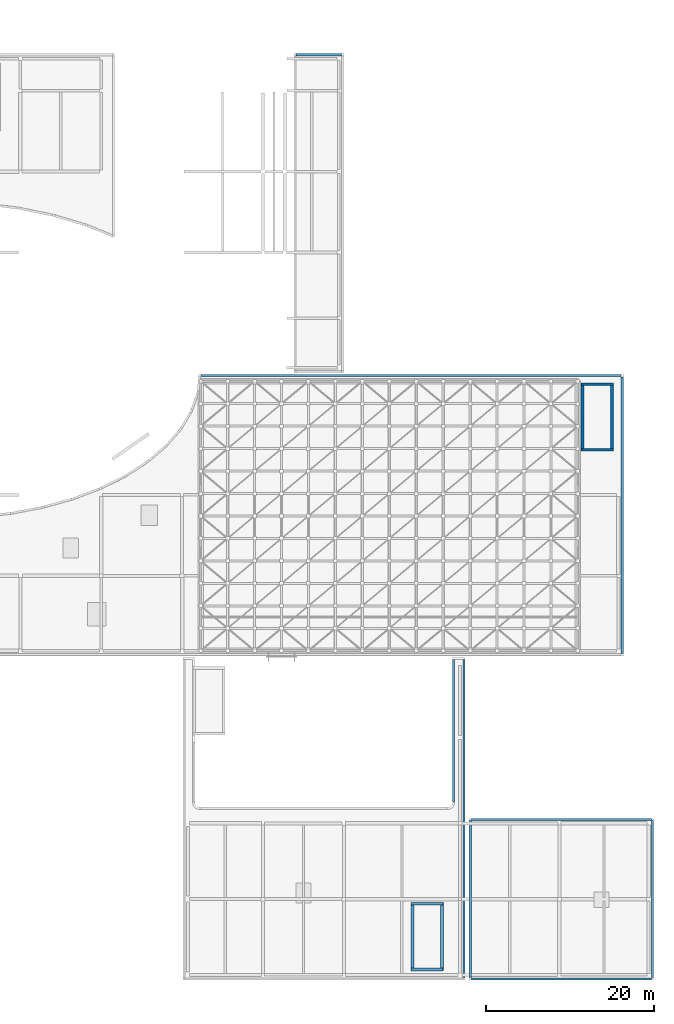
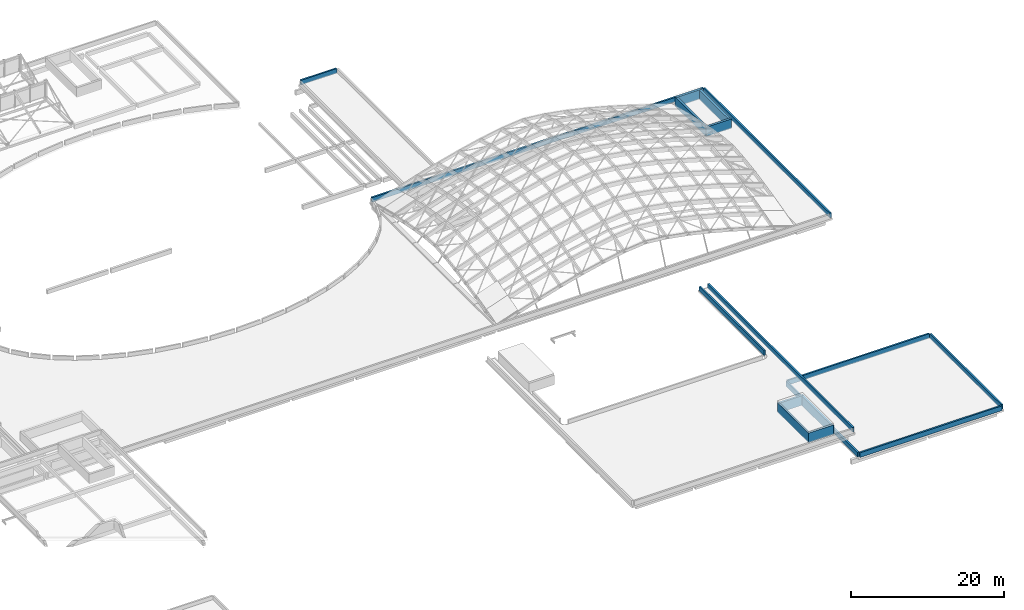
# One storey, part 39 of 40: 17 walls.
"""IFC4 building model written with IfcOpenShell, lengths in metres."""

from ifc_helpers import new_model, si_unit, direction, frame, frame_2d, origin, place, context, subcontext, project, spatial, rectangle, extrude, material, layer, layer_set, type_object, element, save


model = new_model("IFC4")

# Units and contexts
model_context = context("Model", 3, precision=1e-05, world=origin(), true_north=direction((0.0, 1.0)))
body_context = subcontext(model_context, "Body", "Model", "MODEL_VIEW")
ifc_project = project(units=[si_unit("LENGTHUNIT", "METRE"), si_unit("AREAUNIT", "SQUARE_METRE"), si_unit("VOLUMEUNIT", "CUBIC_METRE"), si_unit("PLANEANGLEUNIT", "RADIAN"), si_unit("MASSUNIT", "GRAM", prefix="KILO")], contexts=[model_context])

# Site, building, storey
site_placement = place(None, origin())
site = spatial("IfcSite", under=ifc_project, at=site_placement, CompositionType="ELEMENT")
building_placement = place(site_placement, origin())
building = spatial("IfcBuilding", under=site, at=building_placement, Name="Mzevani Central Library", CompositionType="ELEMENT")
storey_placement = place(building_placement, frame((0.0, 0.0, 26.699951171875)))
storey = spatial("IfcBuildingStorey", under=building, at=storey_placement, Name="RF", CompositionType="ELEMENT", Elevation=26.699951171875)

# Walls
ifc_material = material(Name="Precast concrete C40/50", Category="concrete")
ifc_layer_1 = layer(ifc_material, 0.320068359375, Name="Lift Overrun Shear Wall 320")
ifc_layer_set_1 = layer_set([ifc_layer_1], Name="Precast concrete C40/50")
wall_type_1 = type_object("IfcWallType", Name="Lift Overrun Shear Wall 320", PredefinedType="SHEAR", material=ifc_layer_set_1)
wall_1_placement = place(storey_placement, frame((163.199951171875, 66.949951171875, -12.89990234375), z_axis=(0.0, 0.0, 1.0), x_axis=(-1.0, 0.0, 0.0)))
element("IfcWall", 1, at=wall_1_placement, inside=storey, type_object=wall_type_1, Name="RF Core C1B Reading Hall East Overrun Headhouse Wall 1", PredefinedType="SHEAR", context=body_context, shape_type="SweptSolid", body=[
    extrude(rectangle(XDim=3.800048828125, YDim=0.320068359375, at=frame_2d((1.89990234375, 0.0))), origin(), (0.0, 0.0, 1.0), 1.5),
])
wall_2_placement = place(storey_placement, frame((159.550048828125, 66.800048828125, -12.89990234375), z_axis=(0.0, 0.0, 1.0), x_axis=(0.0, 1.0, 0.0)))
element("IfcWall", 2, at=wall_2_placement, inside=storey, type_object=wall_type_1, Name="RF Core C1B Reading Hall East Overrun Headhouse Wall 2", PredefinedType="SHEAR", context=body_context, shape_type="SweptSolid", body=[
    extrude(rectangle(XDim=8.099853515625, YDim=0.320068359375, at=frame_2d((4.0498046875, 0.0))), origin(), (0.0, 0.0, 1.0), 1.5),
])
wall_3_placement = place(storey_placement, frame((159.39990234375, 74.75, -12.89990234375), z_axis=(0.0, 0.0, 1.0), x_axis=(1.0, 0.0, 0.0)))
element("IfcWall", 3, at=wall_3_placement, inside=storey, type_object=wall_type_1, Name="RF Core C1B Reading Hall East Overrun Headhouse Wall 3", PredefinedType="SHEAR", context=body_context, shape_type="SweptSolid", body=[
    extrude(rectangle(XDim=3.800048828125, YDim=0.320068359375, at=frame_2d((1.89990234375, 0.0))), origin(), (0.0, 0.0, 1.0), 1.5),
])
wall_4_placement = place(storey_placement, frame((163.050048828125, 74.89990234375, -12.89990234375), z_axis=(0.0, 0.0, 1.0), x_axis=(0.0, -1.0, 0.0)))
element("IfcWall", 4, at=wall_4_placement, inside=storey, type_object=wall_type_1, Name="RF Core C1B Reading Hall East Overrun Headhouse Wall 4", PredefinedType="SHEAR", context=body_context, shape_type="SweptSolid", body=[
    extrude(rectangle(XDim=8.099853515625, YDim=0.320068359375, at=frame_2d((4.0498046875, 0.0))), origin(), (0.0, 0.0, 1.0), 1.5),
])
wall_5_placement = place(storey_placement, frame((143.0, 5.25, -17.099853515625), z_axis=(0.0, 0.0, 1.0), x_axis=(-1.0, 0.0, 0.0)))
element("IfcWall", 5, at=wall_5_placement, inside=storey, type_object=wall_type_1, Name="RF Core C6B Children's Pavilion East Stair Overrun Headhouse Wall 1", PredefinedType="SHEAR", context=body_context, shape_type="SweptSolid", body=[
    extrude(rectangle(XDim=3.800048828125, YDim=0.320068359375, at=frame_2d((1.89990234375, 0.0))), origin(), (0.0, 0.0, 1.0), 1.5),
])
wall_6_placement = place(storey_placement, frame((139.35009765625, 5.10009765625, -17.099853515625), z_axis=(0.0, 0.0, 1.0), x_axis=(0.0, 1.0, 0.0)))
element("IfcWall", 6, at=wall_6_placement, inside=storey, type_object=wall_type_1, Name="RF Core C6B Children's Pavilion East Stair Overrun Headhouse Wall 2", PredefinedType="SHEAR", context=body_context, shape_type="SweptSolid", body=[
    extrude(rectangle(XDim=8.099853515625, YDim=0.320068359375, at=frame_2d((4.0498046875, 0.0))), origin(), (0.0, 0.0, 1.0), 1.5),
])
wall_7_placement = place(storey_placement, frame((139.199951171875, 13.050048828125, -17.099853515625), z_axis=(0.0, 0.0, 1.0), x_axis=(1.0, 0.0, 0.0)))
element("IfcWall", 7, at=wall_7_placement, inside=storey, type_object=wall_type_1, Name="RF Core C6B Children's Pavilion East Stair Overrun Headhouse Wall 3", PredefinedType="SHEAR", context=body_context, shape_type="SweptSolid", body=[
    extrude(rectangle(XDim=3.800048828125, YDim=0.320068359375, at=frame_2d((1.89990234375, 0.0))), origin(), (0.0, 0.0, 1.0), 1.5),
])
wall_8_placement = place(storey_placement, frame((142.85009765625, 13.199951171875, -17.099853515625), z_axis=(0.0, 0.0, 1.0), x_axis=(0.0, -1.0, 0.0)))
element("IfcWall", 8, at=wall_8_placement, inside=storey, type_object=wall_type_1, Name="RF Core C6B Children's Pavilion East Stair Overrun Headhouse Wall 4", PredefinedType="SHEAR", context=body_context, shape_type="SweptSolid", body=[
    extrude(rectangle(XDim=8.099853515625, YDim=0.320068359375, at=frame_2d((4.0498046875, 0.0))), origin(), (0.0, 0.0, 1.0), 1.5),
])
ifc_layer_2 = layer(ifc_material, 0.25, Name="Roof Parapet Wall 250")
ifc_layer_set_2 = layer_set([ifc_layer_2], Name="Precast concrete C40/50")
wall_type_2 = type_object("IfcWallType", Name="Roof Parapet Wall 250", PredefinedType="PARAPET", material=ifc_layer_set_2)
wall_9_placement = place(storey_placement, frame((114.244140625, 75.77001953125, -12.89990234375), z_axis=(0.0, 0.0, 1.0), x_axis=(1.0, 0.0, 0.0)))
element("IfcWall", 9, at=wall_9_placement, inside=storey, type_object=wall_type_2, Name="RF V1 Roof Parapet Wall (23)", PredefinedType="PARAPET", context=body_context, shape_type="SweptSolid", body=[
    extrude(rectangle(XDim=49.8857421875, YDim=0.25, at=frame_2d((24.94287109375, 0.0))), origin(), (0.0, 0.0, 1.0), 0.75),
])
wall_10_placement = place(storey_placement, frame((164.27001953125, 75.6298828125, -12.89990234375), z_axis=(0.0, 0.0, 1.0), x_axis=(0.0, -1.0, 0.0)))
element("IfcWall", 10, at=wall_10_placement, inside=storey, type_object=wall_type_2, Name="RF V1 Roof Parapet Wall (24)", PredefinedType="PARAPET", context=body_context, shape_type="SweptSolid", body=[
    extrude(rectangle(XDim=32.85986328125, YDim=0.25, at=frame_2d((16.429931640625, 0.0))), origin(), (0.0, 0.0, 1.0), 0.75),
])
wall_11_placement = place(storey_placement, frame((125.550048828125, 113.8701171875, -21.300048828125), z_axis=(0.0, 0.0, 1.0), x_axis=(1.0, 0.0, 0.0)))
element("IfcWall", 11, at=wall_11_placement, inside=storey, type_object=wall_type_2, Name="RF V3 Roof Parapet Wall (58)", PredefinedType="PARAPET", context=body_context, shape_type="SweptSolid", body=[
    extrude(rectangle(XDim=5.3798828125, YDim=0.25, at=frame_2d((2.68994140625, 0.0))), origin(), (0.0, 0.0, 1.0), 0.75),
])
wall_12_placement = place(storey_placement, frame((167.72998046875, 4.1298828125, -21.300048828125), z_axis=(0.0, 0.0, 1.0), x_axis=(-1.0, 0.0, 0.0)))
element("IfcWall", 12, at=wall_12_placement, inside=storey, type_object=wall_type_2, Name="RF V6 Roof Parapet Wall (103)", PredefinedType="PARAPET", context=body_context, shape_type="SweptSolid", body=[
    extrude(rectangle(XDim=21.3798828125, YDim=0.25, at=frame_2d((10.68994140625, 0.0))), origin(), (0.0, 0.0, 1.0), 0.75),
])
wall_13_placement = place(storey_placement, frame((146.2099609375, 4.27001953125, -21.300048828125), z_axis=(0.0, 0.0, 1.0), x_axis=(0.0, 1.0, 0.0)))
element("IfcWall", 13, at=wall_13_placement, inside=storey, type_object=wall_type_2, Name="RF V6 Roof Parapet Wall (104)", PredefinedType="PARAPET", context=body_context, shape_type="SweptSolid", body=[
    extrude(rectangle(XDim=18.659912109375, YDim=0.25, at=frame_2d((9.330078125, 0.0))), origin(), (0.0, 0.0, 1.0), 0.75),
])
wall_14_placement = place(storey_placement, frame((146.35009765625, 23.070068359375, -21.300048828125), z_axis=(0.0, 0.0, 1.0), x_axis=(1.0, 0.0, 0.0)))
element("IfcWall", 14, at=wall_14_placement, inside=storey, type_object=wall_type_2, Name="RF V6 Roof Parapet Wall (105)", PredefinedType="PARAPET", context=body_context, shape_type="SweptSolid", body=[
    extrude(rectangle(XDim=21.3798828125, YDim=0.25, at=frame_2d((10.68994140625, 0.0))), origin(), (0.0, 0.0, 1.0), 0.75),
])
wall_15_placement = place(storey_placement, frame((167.8701171875, 22.929931640625, -21.300048828125), z_axis=(0.0, 0.0, 1.0), x_axis=(0.0, -1.0, 0.0)))
element("IfcWall", 15, at=wall_15_placement, inside=storey, type_object=wall_type_2, Name="RF V6 Roof Parapet Wall (106)", PredefinedType="PARAPET", context=body_context, shape_type="SweptSolid", body=[
    extrude(rectangle(XDim=18.659912109375, YDim=0.25, at=frame_2d((9.330078125, 0.0))), origin(), (0.0, 0.0, 1.0), 0.75),
])
wall_16_placement = place(storey_placement, frame((144.2099609375, 25.139892578125, -17.099853515625), z_axis=(0.0, 0.0, 1.0), x_axis=(0.0, 1.0, 0.0)))
element("IfcWall", 16, at=wall_16_placement, inside=storey, type_object=wall_type_2, Name="RF V6 Roof Parapet Wall (108)", PredefinedType="PARAPET", context=body_context, shape_type="SweptSolid", body=[
    extrude(rectangle(XDim=16.89013671875, YDim=0.25, at=frame_2d((8.445068359375, 0.0))), origin(), (0.0, 0.0, 1.0), 0.75),
])
wall_17_placement = place(storey_placement, frame((145.469970703125, 42.030029296875, -17.099853515625), z_axis=(0.0, 0.0, 1.0), x_axis=(0.0, -1.0, 0.0)))
element("IfcWall", 17, at=wall_17_placement, inside=storey, type_object=wall_type_2, Name="RF V6 Roof Parapet Wall (109)", PredefinedType="PARAPET", context=body_context, shape_type="SweptSolid", body=[
    extrude(rectangle(XDim=37.760009765625, YDim=0.25, at=frame_2d((18.8798828125, 0.0))), origin(), (0.0, 0.0, 1.0), 0.75),
])

save(model, "model.ifc")
